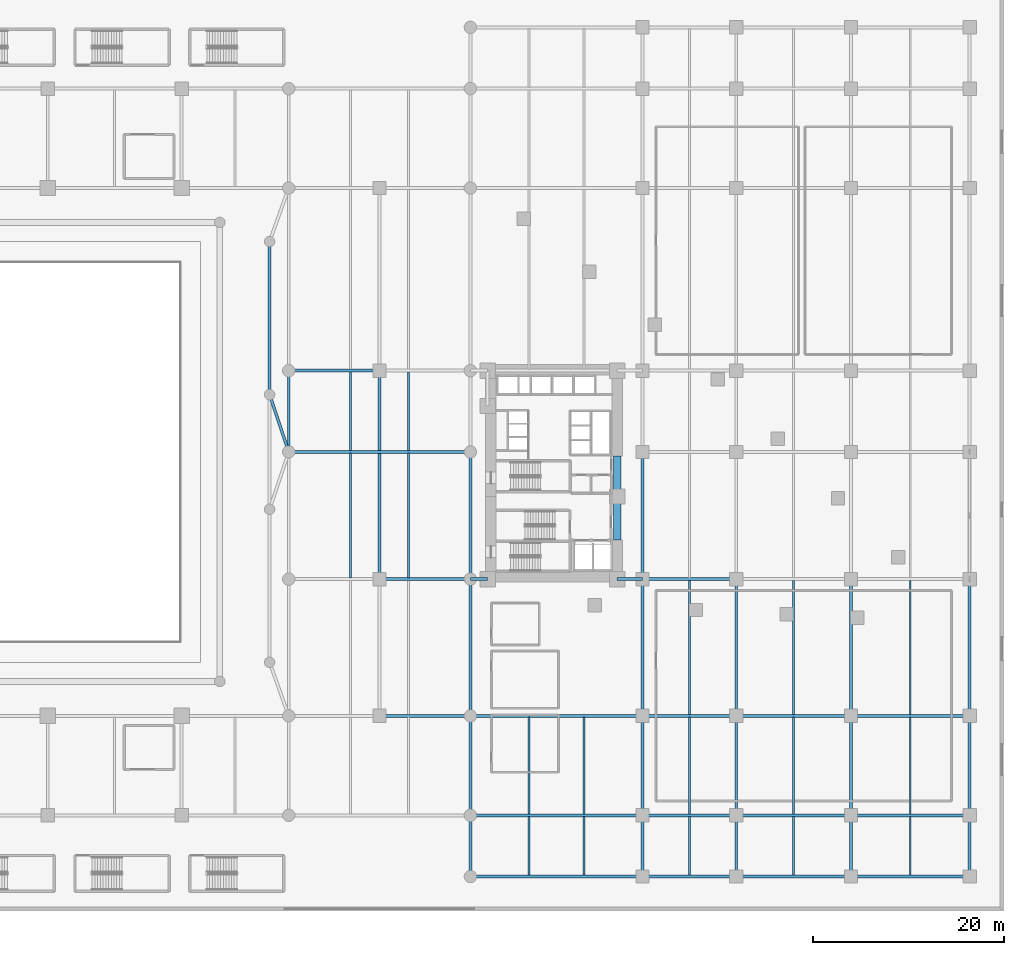
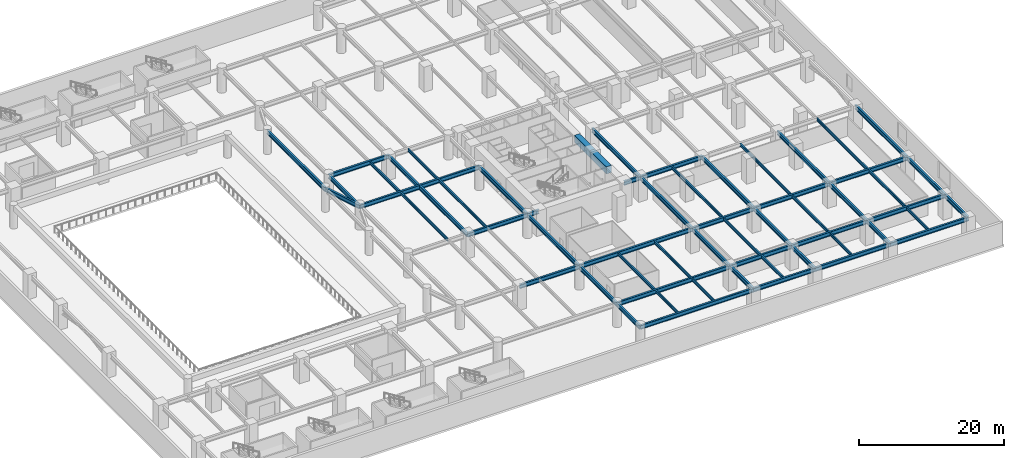
# One storey, part 2 of 25: 59 beams.
"""IFC4 building model written with IfcOpenShell, lengths in metres."""

from ifc_helpers import new_model, si_unit, direction, frame, origin, origin_2d, place, context, subcontext, project, spatial, rectangle, i_section, extrude, material, material_profile, profile_set, type_object, element, save


model = new_model("IFC4")

# Units and contexts
model_context = context("Model", 3, precision=1e-05, world=origin(), true_north=direction((0.0, 1.0)))
body_context = subcontext(model_context, "Body", "Model", "MODEL_VIEW")
ifc_project = project(units=[si_unit("LENGTHUNIT", "METRE"), si_unit("AREAUNIT", "SQUARE_METRE"), si_unit("VOLUMEUNIT", "CUBIC_METRE"), si_unit("PLANEANGLEUNIT", "RADIAN"), si_unit("MASSUNIT", "GRAM", prefix="KILO")], contexts=[model_context])

# Site, building, storey
site_placement = place(None, origin())
site = spatial("IfcSite", under=ifc_project, at=site_placement, CompositionType="ELEMENT")
building_placement = place(site_placement, origin())
building = spatial("IfcBuilding", under=site, at=building_placement, Name="Narakoshi Arena Tower", CompositionType="ELEMENT")
storey_placement = place(building_placement, frame((0.0, 0.0, 9.0)))
storey = spatial("IfcBuildingStorey", under=building, at=storey_placement, Name="L02", CompositionType="ELEMENT", Elevation=9.0)

# Beams
ifc_material_1 = material(Name="Concrete C60/75", Category="concrete")
ifc_material_profile_1 = material_profile(ifc_material_1, rectangle(XDim=0.800048828125, YDim=1.199951171875, at=origin_2d()), Name="RCB800x1200")
ifc_profile_set_1 = profile_set([ifc_material_profile_1], Name="Concrete C60/75")
beam_type_1 = type_object("IfcBeamType", Name="BM-CPL-1200", PredefinedType="LINTEL", material=ifc_profile_set_1)
beam_1_placement = place(storey_placement, frame((85.550048828125, 38.800048828125, 3.280029296875), z_axis=(0.0, 1.0, 0.0), x_axis=(-1.0, 0.0, 0.0)))
element("IfcBeam", 1, at=beam_1_placement, inside=storey, type_object=beam_type_1, Name="L02 Core Seismic Coupling Beam 1", PredefinedType="LINTEL", context=body_context, shape_type="SweptSolid", body=[
    extrude(rectangle(XDim=0.800048828125, YDim=1.199951171875, at=origin_2d()), origin(), (0.0, 0.0, 1.0), 4.550048828125),
])
beam_2_placement = place(storey_placement, frame((85.550048828125, 43.35009765625, 3.280029296875), z_axis=(0.0, 1.0, 0.0), x_axis=(-1.0, 0.0, 0.0)))
element("IfcBeam", 2, at=beam_2_placement, inside=storey, type_object=beam_type_1, Name="L02 Core Seismic Coupling Beam 2", PredefinedType="LINTEL", context=body_context, shape_type="SweptSolid", body=[
    extrude(rectangle(XDim=0.800048828125, YDim=1.199951171875, at=origin_2d()), origin(), (0.0, 0.0, 1.0), 4.25),
])
ifc_material_2 = material(Name="Structural steel S355J2", Category="steel")
ifc_material_profile_2 = material_profile(ifc_material_2, i_section(OverallWidth=0.300048828125, OverallDepth=0.699951171875, WebThickness=0.01708984375, FlangeThickness=0.031982421875, FilletRadius=0.027099609375, at=origin_2d()), Name="HE700B")
ifc_profile_set_2 = profile_set([ifc_material_profile_2], Name="Structural steel S355J2")
beam_type_2 = type_object("IfcBeamType", Name="BM-PRI-700", PredefinedType="BEAM", material=ifc_profile_set_2)
beam_3_placement = place(storey_placement, frame((49.199951171875, 54.0, 3.530029296875), z_axis=(0.316227766017, -0.948683298051, 0.0), x_axis=(0.948683298051, 0.316227766017, 0.0)))
element("IfcBeam", 3, at=beam_3_placement, inside=storey, type_object=beam_type_2, Name="L02 Arena Foyer Tie Beam 03", PredefinedType="BEAM", context=body_context, shape_type="SweptSolid", body=[
    extrude(i_section(OverallWidth=0.300048828125, OverallDepth=0.699951171875, WebThickness=0.01708984375, FlangeThickness=0.031982421875, FilletRadius=0.027099609375, at=origin_2d()), origin(), (0.0, 0.0, 1.0), 6.324462890625),
])
beam_4_placement = place(storey_placement, frame((49.199951171875, 54.0, 3.530029296875), z_axis=(0.0, 1.0, 0.0), x_axis=(-1.0, 0.0, 0.0)))
element("IfcBeam", 4, at=beam_4_placement, inside=storey, type_object=beam_type_2, Name="L02 Arena Foyer Ring Beam 54", PredefinedType="BEAM", context=body_context, shape_type="SweptSolid", body=[
    extrude(i_section(OverallWidth=0.300048828125, OverallDepth=0.699951171875, WebThickness=0.01708984375, FlangeThickness=0.031982421875, FilletRadius=0.027099609375, at=origin_2d()), origin(), (0.0, 0.0, 1.0), 16.0),
])
beam_5_placement = place(storey_placement, frame((70.199951171875, 3.60009765625, 3.530029296875), z_axis=(1.0, 0.0, 0.0), x_axis=(0.0, 1.0, 0.0)))
element("IfcBeam", 5, at=beam_5_placement, inside=storey, type_object=beam_type_2, Name="L02 Podium Primary X-Girder 001", PredefinedType="BEAM", context=body_context, shape_type="SweptSolid", body=[
    extrude(i_section(OverallWidth=0.300048828125, OverallDepth=0.699951171875, WebThickness=0.01708984375, FlangeThickness=0.031982421875, FilletRadius=0.027099609375, at=origin_2d()), origin(), (0.0, 0.0, 1.0), 18.0),
])
beam_6_placement = place(storey_placement, frame((88.199951171875, 3.60009765625, 3.530029296875), z_axis=(1.0, 0.0, 0.0), x_axis=(0.0, 1.0, 0.0)))
element("IfcBeam", 6, at=beam_6_placement, inside=storey, type_object=beam_type_2, Name="L02 Podium Primary X-Girder 002", PredefinedType="BEAM", context=body_context, shape_type="SweptSolid", body=[
    extrude(i_section(OverallWidth=0.300048828125, OverallDepth=0.699951171875, WebThickness=0.01708984375, FlangeThickness=0.031982421875, FilletRadius=0.027099609375, at=origin_2d()), origin(), (0.0, 0.0, 1.0), 9.800048828125),
])
beam_7_placement = place(storey_placement, frame((98.0, 3.60009765625, 3.530029296875), z_axis=(1.0, 0.0, 0.0), x_axis=(0.0, 1.0, 0.0)))
element("IfcBeam", 7, at=beam_7_placement, inside=storey, type_object=beam_type_2, Name="L02 Podium Primary X-Girder 003", PredefinedType="BEAM", context=body_context, shape_type="SweptSolid", body=[
    extrude(i_section(OverallWidth=0.300048828125, OverallDepth=0.699951171875, WebThickness=0.01708984375, FlangeThickness=0.031982421875, FilletRadius=0.027099609375, at=origin_2d()), origin(), (0.0, 0.0, 1.0), 12.0),
])
beam_8_placement = place(storey_placement, frame((110.0, 3.60009765625, 3.530029296875), z_axis=(1.0, 0.0, 0.0), x_axis=(0.0, 1.0, 0.0)))
element("IfcBeam", 8, at=beam_8_placement, inside=storey, type_object=beam_type_2, Name="L02 Podium Primary X-Girder 004", PredefinedType="BEAM", context=body_context, shape_type="SweptSolid", body=[
    extrude(i_section(OverallWidth=0.300048828125, OverallDepth=0.699951171875, WebThickness=0.01708984375, FlangeThickness=0.031982421875, FilletRadius=0.027099609375, at=origin_2d()), origin(), (0.0, 0.0, 1.0), 12.39990234375),
])
beam_9_placement = place(storey_placement, frame((70.199951171875, 10.0, 3.530029296875), z_axis=(1.0, 0.0, 0.0), x_axis=(0.0, 1.0, 0.0)))
element("IfcBeam", 9, at=beam_9_placement, inside=storey, type_object=beam_type_2, Name="L02 Podium Primary X-Girder 010", PredefinedType="BEAM", context=body_context, shape_type="SweptSolid", body=[
    extrude(i_section(OverallWidth=0.300048828125, OverallDepth=0.699951171875, WebThickness=0.01708984375, FlangeThickness=0.031982421875, FilletRadius=0.027099609375, at=origin_2d()), origin(), (0.0, 0.0, 1.0), 18.0),
])
beam_10_placement = place(storey_placement, frame((88.199951171875, 10.0, 3.530029296875), z_axis=(1.0, 0.0, 0.0), x_axis=(0.0, 1.0, 0.0)))
element("IfcBeam", 10, at=beam_10_placement, inside=storey, type_object=beam_type_2, Name="L02 Podium Primary X-Girder 011", PredefinedType="BEAM", context=body_context, shape_type="SweptSolid", body=[
    extrude(i_section(OverallWidth=0.300048828125, OverallDepth=0.699951171875, WebThickness=0.01708984375, FlangeThickness=0.031982421875, FilletRadius=0.027099609375, at=origin_2d()), origin(), (0.0, 0.0, 1.0), 9.800048828125),
])
beam_11_placement = place(storey_placement, frame((98.0, 10.0, 3.530029296875), z_axis=(1.0, 0.0, 0.0), x_axis=(0.0, 1.0, 0.0)))
element("IfcBeam", 11, at=beam_11_placement, inside=storey, type_object=beam_type_2, Name="L02 Podium Primary X-Girder 012", PredefinedType="BEAM", context=body_context, shape_type="SweptSolid", body=[
    extrude(i_section(OverallWidth=0.300048828125, OverallDepth=0.699951171875, WebThickness=0.01708984375, FlangeThickness=0.031982421875, FilletRadius=0.027099609375, at=origin_2d()), origin(), (0.0, 0.0, 1.0), 12.0),
])
beam_12_placement = place(storey_placement, frame((110.0, 10.0, 3.530029296875), z_axis=(1.0, 0.0, 0.0), x_axis=(0.0, 1.0, 0.0)))
element("IfcBeam", 12, at=beam_12_placement, inside=storey, type_object=beam_type_2, Name="L02 Podium Primary X-Girder 013", PredefinedType="BEAM", context=body_context, shape_type="SweptSolid", body=[
    extrude(i_section(OverallWidth=0.300048828125, OverallDepth=0.699951171875, WebThickness=0.01708984375, FlangeThickness=0.031982421875, FilletRadius=0.027099609375, at=origin_2d()), origin(), (0.0, 0.0, 1.0), 12.39990234375),
])
beam_13_placement = place(storey_placement, frame((60.699951171875, 20.39990234375, 3.530029296875), z_axis=(1.0, 0.0, 0.0), x_axis=(0.0, 1.0, 0.0)))
element("IfcBeam", 13, at=beam_13_placement, inside=storey, type_object=beam_type_2, Name="L02 Podium Primary X-Girder 019", PredefinedType="BEAM", context=body_context, shape_type="SweptSolid", body=[
    extrude(i_section(OverallWidth=0.300048828125, OverallDepth=0.699951171875, WebThickness=0.01708984375, FlangeThickness=0.031982421875, FilletRadius=0.027099609375, at=origin_2d()), origin(), (0.0, 0.0, 1.0), 9.5),
])
beam_14_placement = place(storey_placement, frame((70.199951171875, 20.39990234375, 3.530029296875), z_axis=(1.0, 0.0, 0.0), x_axis=(0.0, 1.0, 0.0)))
element("IfcBeam", 14, at=beam_14_placement, inside=storey, type_object=beam_type_2, Name="L02 Podium Primary X-Girder 020", PredefinedType="BEAM", context=body_context, shape_type="SweptSolid", body=[
    extrude(i_section(OverallWidth=0.300048828125, OverallDepth=0.699951171875, WebThickness=0.01708984375, FlangeThickness=0.031982421875, FilletRadius=0.027099609375, at=origin_2d()), origin(), (0.0, 0.0, 1.0), 18.0),
])
beam_15_placement = place(storey_placement, frame((88.199951171875, 20.39990234375, 3.530029296875), z_axis=(1.0, 0.0, 0.0), x_axis=(0.0, 1.0, 0.0)))
element("IfcBeam", 15, at=beam_15_placement, inside=storey, type_object=beam_type_2, Name="L02 Podium Primary X-Girder 021", PredefinedType="BEAM", context=body_context, shape_type="SweptSolid", body=[
    extrude(i_section(OverallWidth=0.300048828125, OverallDepth=0.699951171875, WebThickness=0.01708984375, FlangeThickness=0.031982421875, FilletRadius=0.027099609375, at=origin_2d()), origin(), (0.0, 0.0, 1.0), 9.800048828125),
])
beam_16_placement = place(storey_placement, frame((98.0, 20.39990234375, 3.530029296875), z_axis=(1.0, 0.0, 0.0), x_axis=(0.0, 1.0, 0.0)))
element("IfcBeam", 16, at=beam_16_placement, inside=storey, type_object=beam_type_2, Name="L02 Podium Primary X-Girder 022", PredefinedType="BEAM", context=body_context, shape_type="SweptSolid", body=[
    extrude(i_section(OverallWidth=0.300048828125, OverallDepth=0.699951171875, WebThickness=0.01708984375, FlangeThickness=0.031982421875, FilletRadius=0.027099609375, at=origin_2d()), origin(), (0.0, 0.0, 1.0), 12.0),
])
beam_17_placement = place(storey_placement, frame((110.0, 20.39990234375, 3.530029296875), z_axis=(1.0, 0.0, 0.0), x_axis=(0.0, 1.0, 0.0)))
element("IfcBeam", 17, at=beam_17_placement, inside=storey, type_object=beam_type_2, Name="L02 Podium Primary X-Girder 023", PredefinedType="BEAM", context=body_context, shape_type="SweptSolid", body=[
    extrude(i_section(OverallWidth=0.300048828125, OverallDepth=0.699951171875, WebThickness=0.01708984375, FlangeThickness=0.031982421875, FilletRadius=0.027099609375, at=origin_2d()), origin(), (0.0, 0.0, 1.0), 12.39990234375),
])
beam_18_placement = place(storey_placement, frame((60.699951171875, 34.699951171875, 3.530029296875), z_axis=(1.0, 0.0, 0.0), x_axis=(0.0, 1.0, 0.0)))
element("IfcBeam", 18, at=beam_18_placement, inside=storey, type_object=beam_type_2, Name="L02 Podium Primary X-Girder 025", PredefinedType="BEAM", context=body_context, shape_type="SweptSolid", body=[
    extrude(i_section(OverallWidth=0.300048828125, OverallDepth=0.699951171875, WebThickness=0.01708984375, FlangeThickness=0.031982421875, FilletRadius=0.027099609375, at=origin_2d()), origin(), (0.0, 0.0, 1.0), 9.5),
])
beam_19_placement = place(storey_placement, frame((70.199951171875, 34.699951171875, 3.530029296875), z_axis=(1.0, 0.0, 0.0), x_axis=(0.0, 1.0, 0.0)))
element("IfcBeam", 19, at=beam_19_placement, inside=storey, type_object=beam_type_2, Name="L02 Podium Primary X-Girder 026", PredefinedType="BEAM", context=body_context, shape_type="SweptSolid", body=[
    extrude(i_section(OverallWidth=0.300048828125, OverallDepth=0.699951171875, WebThickness=0.01708984375, FlangeThickness=0.031982421875, FilletRadius=0.027099609375, at=origin_2d()), origin(), (0.0, 0.0, 1.0), 1.800048828125),
])
beam_20_placement = place(storey_placement, frame((85.550048828125, 34.699951171875, 3.530029296875), z_axis=(1.0, 0.0, 0.0), x_axis=(0.0, 1.0, 0.0)))
element("IfcBeam", 20, at=beam_20_placement, inside=storey, type_object=beam_type_2, Name="L02 Podium Primary X-Girder 027", PredefinedType="BEAM", context=body_context, shape_type="SweptSolid", body=[
    extrude(i_section(OverallWidth=0.300048828125, OverallDepth=0.699951171875, WebThickness=0.01708984375, FlangeThickness=0.031982421875, FilletRadius=0.027099609375, at=origin_2d()), origin(), (0.0, 0.0, 1.0), 2.64990234375),
])
beam_21_placement = place(storey_placement, frame((88.199951171875, 34.699951171875, 3.530029296875), z_axis=(1.0, 0.0, 0.0), x_axis=(0.0, 1.0, 0.0)))
element("IfcBeam", 21, at=beam_21_placement, inside=storey, type_object=beam_type_2, Name="L02 Podium Primary X-Girder 028", PredefinedType="BEAM", context=body_context, shape_type="SweptSolid", body=[
    extrude(i_section(OverallWidth=0.300048828125, OverallDepth=0.699951171875, WebThickness=0.01708984375, FlangeThickness=0.031982421875, FilletRadius=0.027099609375, at=origin_2d()), origin(), (0.0, 0.0, 1.0), 9.800048828125),
])
beam_22_placement = place(storey_placement, frame((51.199951171875, 48.0, 3.530029296875), z_axis=(1.0, 0.0, 0.0), x_axis=(0.0, 1.0, 0.0)))
element("IfcBeam", 22, at=beam_22_placement, inside=storey, type_object=beam_type_2, Name="L02 Podium Primary X-Girder 031", PredefinedType="BEAM", context=body_context, shape_type="SweptSolid", body=[
    extrude(i_section(OverallWidth=0.300048828125, OverallDepth=0.699951171875, WebThickness=0.01708984375, FlangeThickness=0.031982421875, FilletRadius=0.027099609375, at=origin_2d()), origin(), (0.0, 0.0, 1.0), 19.0),
])
beam_23_placement = place(storey_placement, frame((51.199951171875, 56.5, 3.530029296875), z_axis=(1.0, 0.0, 0.0), x_axis=(0.0, 1.0, 0.0)))
element("IfcBeam", 23, at=beam_23_placement, inside=storey, type_object=beam_type_2, Name="L02 Podium Primary X-Girder 035", PredefinedType="BEAM", context=body_context, shape_type="SweptSolid", body=[
    extrude(i_section(OverallWidth=0.300048828125, OverallDepth=0.699951171875, WebThickness=0.01708984375, FlangeThickness=0.031982421875, FilletRadius=0.027099609375, at=origin_2d()), origin(), (0.0, 0.0, 1.0), 9.5),
])
beam_24_placement = place(storey_placement, frame((51.199951171875, 48.0, 3.530029296875), z_axis=(0.0, 1.0, 0.0), x_axis=(-1.0, 0.0, 0.0)))
element("IfcBeam", 24, at=beam_24_placement, inside=storey, type_object=beam_type_2, Name="L02 Podium Primary Y-Girder 083", PredefinedType="BEAM", context=body_context, shape_type="SweptSolid", body=[
    extrude(i_section(OverallWidth=0.300048828125, OverallDepth=0.699951171875, WebThickness=0.01708984375, FlangeThickness=0.031982421875, FilletRadius=0.027099609375, at=origin_2d()), origin(), (0.0, 0.0, 1.0), 8.5),
])
beam_25_placement = place(storey_placement, frame((60.699951171875, 34.699951171875, 3.530029296875), z_axis=(0.0, 1.0, 0.0), x_axis=(-1.0, 0.0, 0.0)))
element("IfcBeam", 25, at=beam_25_placement, inside=storey, type_object=beam_type_2, Name="L02 Podium Primary Y-Girder 087", PredefinedType="BEAM", context=body_context, shape_type="SweptSolid", body=[
    extrude(i_section(OverallWidth=0.300048828125, OverallDepth=0.699951171875, WebThickness=0.01708984375, FlangeThickness=0.031982421875, FilletRadius=0.027099609375, at=origin_2d()), origin(), (0.0, 0.0, 1.0), 21.800048828125),
])
beam_26_placement = place(storey_placement, frame((70.199951171875, 3.60009765625, 3.530029296875), z_axis=(0.0, 1.0, 0.0), x_axis=(-1.0, 0.0, 0.0)))
element("IfcBeam", 26, at=beam_26_placement, inside=storey, type_object=beam_type_2, Name="L02 Podium Primary Y-Girder 089", PredefinedType="BEAM", context=body_context, shape_type="SweptSolid", body=[
    extrude(i_section(OverallWidth=0.300048828125, OverallDepth=0.699951171875, WebThickness=0.01708984375, FlangeThickness=0.031982421875, FilletRadius=0.027099609375, at=origin_2d()), origin(), (0.0, 0.0, 1.0), 6.39990234375),
])
beam_27_placement = place(storey_placement, frame((70.199951171875, 10.0, 3.530029296875), z_axis=(0.0, 1.0, 0.0), x_axis=(-1.0, 0.0, 0.0)))
element("IfcBeam", 27, at=beam_27_placement, inside=storey, type_object=beam_type_2, Name="L02 Podium Primary Y-Girder 090", PredefinedType="BEAM", context=body_context, shape_type="SweptSolid", body=[
    extrude(i_section(OverallWidth=0.300048828125, OverallDepth=0.699951171875, WebThickness=0.01708984375, FlangeThickness=0.031982421875, FilletRadius=0.027099609375, at=origin_2d()), origin(), (0.0, 0.0, 1.0), 10.39990234375),
])
beam_28_placement = place(storey_placement, frame((70.199951171875, 20.39990234375, 3.530029296875), z_axis=(0.0, 1.0, 0.0), x_axis=(-1.0, 0.0, 0.0)))
element("IfcBeam", 28, at=beam_28_placement, inside=storey, type_object=beam_type_2, Name="L02 Podium Primary Y-Girder 091", PredefinedType="BEAM", context=body_context, shape_type="SweptSolid", body=[
    extrude(i_section(OverallWidth=0.300048828125, OverallDepth=0.699951171875, WebThickness=0.01708984375, FlangeThickness=0.031982421875, FilletRadius=0.027099609375, at=origin_2d()), origin(), (0.0, 0.0, 1.0), 14.300048828125),
])
beam_29_placement = place(storey_placement, frame((70.199951171875, 34.699951171875, 3.530029296875), z_axis=(0.0, 1.0, 0.0), x_axis=(-1.0, 0.0, 0.0)))
element("IfcBeam", 29, at=beam_29_placement, inside=storey, type_object=beam_type_2, Name="L02 Podium Primary Y-Girder 092", PredefinedType="BEAM", context=body_context, shape_type="SweptSolid", body=[
    extrude(i_section(OverallWidth=0.300048828125, OverallDepth=0.699951171875, WebThickness=0.01708984375, FlangeThickness=0.031982421875, FilletRadius=0.027099609375, at=origin_2d()), origin(), (0.0, 0.0, 1.0), 13.300048828125),
])
beam_30_placement = place(storey_placement, frame((88.199951171875, 3.60009765625, 3.530029296875), z_axis=(0.0, 1.0, 0.0), x_axis=(-1.0, 0.0, 0.0)))
element("IfcBeam", 30, at=beam_30_placement, inside=storey, type_object=beam_type_2, Name="L02 Podium Primary Y-Girder 098", PredefinedType="BEAM", context=body_context, shape_type="SweptSolid", body=[
    extrude(i_section(OverallWidth=0.300048828125, OverallDepth=0.699951171875, WebThickness=0.01708984375, FlangeThickness=0.031982421875, FilletRadius=0.027099609375, at=origin_2d()), origin(), (0.0, 0.0, 1.0), 6.39990234375),
])
beam_31_placement = place(storey_placement, frame((88.199951171875, 10.0, 3.530029296875), z_axis=(0.0, 1.0, 0.0), x_axis=(-1.0, 0.0, 0.0)))
element("IfcBeam", 31, at=beam_31_placement, inside=storey, type_object=beam_type_2, Name="L02 Podium Primary Y-Girder 099", PredefinedType="BEAM", context=body_context, shape_type="SweptSolid", body=[
    extrude(i_section(OverallWidth=0.300048828125, OverallDepth=0.699951171875, WebThickness=0.01708984375, FlangeThickness=0.031982421875, FilletRadius=0.027099609375, at=origin_2d()), origin(), (0.0, 0.0, 1.0), 10.39990234375),
])
beam_32_placement = place(storey_placement, frame((88.199951171875, 20.39990234375, 3.530029296875), z_axis=(0.0, 1.0, 0.0), x_axis=(-1.0, 0.0, 0.0)))
element("IfcBeam", 32, at=beam_32_placement, inside=storey, type_object=beam_type_2, Name="L02 Podium Primary Y-Girder 100", PredefinedType="BEAM", context=body_context, shape_type="SweptSolid", body=[
    extrude(i_section(OverallWidth=0.300048828125, OverallDepth=0.699951171875, WebThickness=0.01708984375, FlangeThickness=0.031982421875, FilletRadius=0.027099609375, at=origin_2d()), origin(), (0.0, 0.0, 1.0), 14.300048828125),
])
beam_33_placement = place(storey_placement, frame((88.199951171875, 34.699951171875, 3.530029296875), z_axis=(0.0, 1.0, 0.0), x_axis=(-1.0, 0.0, 0.0)))
element("IfcBeam", 33, at=beam_33_placement, inside=storey, type_object=beam_type_2, Name="L02 Podium Primary Y-Girder 101", PredefinedType="BEAM", context=body_context, shape_type="SweptSolid", body=[
    extrude(i_section(OverallWidth=0.300048828125, OverallDepth=0.699951171875, WebThickness=0.01708984375, FlangeThickness=0.031982421875, FilletRadius=0.027099609375, at=origin_2d()), origin(), (0.0, 0.0, 1.0), 13.300048828125),
])
beam_34_placement = place(storey_placement, frame((98.0, 3.60009765625, 3.530029296875), z_axis=(0.0, 1.0, 0.0), x_axis=(-1.0, 0.0, 0.0)))
element("IfcBeam", 34, at=beam_34_placement, inside=storey, type_object=beam_type_2, Name="L02 Podium Primary Y-Girder 106", PredefinedType="BEAM", context=body_context, shape_type="SweptSolid", body=[
    extrude(i_section(OverallWidth=0.300048828125, OverallDepth=0.699951171875, WebThickness=0.01708984375, FlangeThickness=0.031982421875, FilletRadius=0.027099609375, at=origin_2d()), origin(), (0.0, 0.0, 1.0), 6.39990234375),
])
beam_35_placement = place(storey_placement, frame((98.0, 10.0, 3.530029296875), z_axis=(0.0, 1.0, 0.0), x_axis=(-1.0, 0.0, 0.0)))
element("IfcBeam", 35, at=beam_35_placement, inside=storey, type_object=beam_type_2, Name="L02 Podium Primary Y-Girder 107", PredefinedType="BEAM", context=body_context, shape_type="SweptSolid", body=[
    extrude(i_section(OverallWidth=0.300048828125, OverallDepth=0.699951171875, WebThickness=0.01708984375, FlangeThickness=0.031982421875, FilletRadius=0.027099609375, at=origin_2d()), origin(), (0.0, 0.0, 1.0), 10.39990234375),
])
beam_36_placement = place(storey_placement, frame((98.0, 20.39990234375, 3.530029296875), z_axis=(0.0, 1.0, 0.0), x_axis=(-1.0, 0.0, 0.0)))
element("IfcBeam", 36, at=beam_36_placement, inside=storey, type_object=beam_type_2, Name="L02 Podium Primary Y-Girder 108", PredefinedType="BEAM", context=body_context, shape_type="SweptSolid", body=[
    extrude(i_section(OverallWidth=0.300048828125, OverallDepth=0.699951171875, WebThickness=0.01708984375, FlangeThickness=0.031982421875, FilletRadius=0.027099609375, at=origin_2d()), origin(), (0.0, 0.0, 1.0), 14.300048828125),
])
beam_37_placement = place(storey_placement, frame((110.0, 3.60009765625, 3.530029296875), z_axis=(0.0, 1.0, 0.0), x_axis=(-1.0, 0.0, 0.0)))
element("IfcBeam", 37, at=beam_37_placement, inside=storey, type_object=beam_type_2, Name="L02 Podium Primary Y-Girder 114", PredefinedType="BEAM", context=body_context, shape_type="SweptSolid", body=[
    extrude(i_section(OverallWidth=0.300048828125, OverallDepth=0.699951171875, WebThickness=0.01708984375, FlangeThickness=0.031982421875, FilletRadius=0.027099609375, at=origin_2d()), origin(), (0.0, 0.0, 1.0), 6.39990234375),
])
beam_38_placement = place(storey_placement, frame((110.0, 10.0, 3.530029296875), z_axis=(0.0, 1.0, 0.0), x_axis=(-1.0, 0.0, 0.0)))
element("IfcBeam", 38, at=beam_38_placement, inside=storey, type_object=beam_type_2, Name="L02 Podium Primary Y-Girder 115", PredefinedType="BEAM", context=body_context, shape_type="SweptSolid", body=[
    extrude(i_section(OverallWidth=0.300048828125, OverallDepth=0.699951171875, WebThickness=0.01708984375, FlangeThickness=0.031982421875, FilletRadius=0.027099609375, at=origin_2d()), origin(), (0.0, 0.0, 1.0), 10.39990234375),
])
beam_39_placement = place(storey_placement, frame((110.0, 20.39990234375, 3.530029296875), z_axis=(0.0, 1.0, 0.0), x_axis=(-1.0, 0.0, 0.0)))
element("IfcBeam", 39, at=beam_39_placement, inside=storey, type_object=beam_type_2, Name="L02 Podium Primary Y-Girder 116", PredefinedType="BEAM", context=body_context, shape_type="SweptSolid", body=[
    extrude(i_section(OverallWidth=0.300048828125, OverallDepth=0.699951171875, WebThickness=0.01708984375, FlangeThickness=0.031982421875, FilletRadius=0.027099609375, at=origin_2d()), origin(), (0.0, 0.0, 1.0), 14.300048828125),
])
beam_40_placement = place(storey_placement, frame((122.39990234375, 3.60009765625, 3.530029296875), z_axis=(0.0, 1.0, 0.0), x_axis=(-1.0, 0.0, 0.0)))
element("IfcBeam", 40, at=beam_40_placement, inside=storey, type_object=beam_type_2, Name="L02 Podium Primary Y-Girder 122", PredefinedType="BEAM", context=body_context, shape_type="SweptSolid", body=[
    extrude(i_section(OverallWidth=0.300048828125, OverallDepth=0.699951171875, WebThickness=0.01708984375, FlangeThickness=0.031982421875, FilletRadius=0.027099609375, at=origin_2d()), origin(), (0.0, 0.0, 1.0), 6.39990234375),
])
beam_41_placement = place(storey_placement, frame((122.39990234375, 10.0, 3.530029296875), z_axis=(0.0, 1.0, 0.0), x_axis=(-1.0, 0.0, 0.0)))
element("IfcBeam", 41, at=beam_41_placement, inside=storey, type_object=beam_type_2, Name="L02 Podium Primary Y-Girder 123", PredefinedType="BEAM", context=body_context, shape_type="SweptSolid", body=[
    extrude(i_section(OverallWidth=0.300048828125, OverallDepth=0.699951171875, WebThickness=0.01708984375, FlangeThickness=0.031982421875, FilletRadius=0.027099609375, at=origin_2d()), origin(), (0.0, 0.0, 1.0), 10.39990234375),
])
beam_42_placement = place(storey_placement, frame((122.39990234375, 20.39990234375, 3.530029296875), z_axis=(0.0, 1.0, 0.0), x_axis=(-1.0, 0.0, 0.0)))
element("IfcBeam", 42, at=beam_42_placement, inside=storey, type_object=beam_type_2, Name="L02 Podium Primary Y-Girder 124", PredefinedType="BEAM", context=body_context, shape_type="SweptSolid", body=[
    extrude(i_section(OverallWidth=0.300048828125, OverallDepth=0.699951171875, WebThickness=0.01708984375, FlangeThickness=0.031982421875, FilletRadius=0.027099609375, at=origin_2d()), origin(), (0.0, 0.0, 1.0), 14.300048828125),
])
ifc_material_profile_3 = material_profile(ifc_material_2, i_section(OverallWidth=0.199951171875, OverallDepth=0.5, WebThickness=0.01025390625, FlangeThickness=0.01611328125, FilletRadius=0.02099609375, at=origin_2d()), Name="IPE500")
ifc_profile_set_3 = profile_set([ifc_material_profile_3], Name="Structural steel S355J2")
beam_type_3 = type_object("IfcBeamType", Name="BM-SEC-500", PredefinedType="JOIST", material=ifc_profile_set_3)
beam_43_placement = place(storey_placement, frame((57.659912109375, 34.8349609375, 3.6298828125), z_axis=(0.0, 1.0, 0.0), x_axis=(-1.0, 0.0, 0.0)))
element("IfcBeam", 43, at=beam_43_placement, inside=storey, type_object=beam_type_3, Name="L02 Podium Composite Floor Joist 011", PredefinedType="JOIST", context=body_context, shape_type="SweptSolid", body=[
    extrude(i_section(OverallWidth=0.199951171875, OverallDepth=0.5, WebThickness=0.01025390625, FlangeThickness=0.01611328125, FilletRadius=0.02099609375, at=origin_2d()), origin(), (0.0, 0.0, 1.0), 13.030029296875),
])
beam_44_placement = place(storey_placement, frame((57.659912109375, 48.135009765625, 3.6298828125), z_axis=(0.0, 1.0, 0.0), x_axis=(-1.0, 0.0, 0.0)))
element("IfcBeam", 44, at=beam_44_placement, inside=storey, type_object=beam_type_3, Name="L02 Podium Composite Floor Joist 012", PredefinedType="JOIST", context=body_context, shape_type="SweptSolid", body=[
    extrude(i_section(OverallWidth=0.199951171875, OverallDepth=0.5, WebThickness=0.01025390625, FlangeThickness=0.01611328125, FilletRadius=0.02099609375, at=origin_2d()), origin(), (0.0, 0.0, 1.0), 8.22998046875),
])
beam_45_placement = place(storey_placement, frame((63.739990234375, 34.8349609375, 3.6298828125), z_axis=(0.0, 1.0, 0.0), x_axis=(-1.0, 0.0, 0.0)))
element("IfcBeam", 45, at=beam_45_placement, inside=storey, type_object=beam_type_3, Name="L02 Podium Composite Floor Joist 017", PredefinedType="JOIST", context=body_context, shape_type="SweptSolid", body=[
    extrude(i_section(OverallWidth=0.199951171875, OverallDepth=0.5, WebThickness=0.01025390625, FlangeThickness=0.01611328125, FilletRadius=0.02099609375, at=origin_2d()), origin(), (0.0, 0.0, 1.0), 13.030029296875),
])
beam_46_placement = place(storey_placement, frame((63.739990234375, 48.135009765625, 3.6298828125), z_axis=(0.0, 1.0, 0.0), x_axis=(-1.0, 0.0, 0.0)))
element("IfcBeam", 46, at=beam_46_placement, inside=storey, type_object=beam_type_3, Name="L02 Podium Composite Floor Joist 018", PredefinedType="JOIST", context=body_context, shape_type="SweptSolid", body=[
    extrude(i_section(OverallWidth=0.199951171875, OverallDepth=0.5, WebThickness=0.01025390625, FlangeThickness=0.01611328125, FilletRadius=0.02099609375, at=origin_2d()), origin(), (0.0, 0.0, 1.0), 8.22998046875),
])
beam_47_placement = place(storey_placement, frame((76.320068359375, 3.735107421875, 3.6298828125), z_axis=(0.0, 1.0, 0.0), x_axis=(-1.0, 0.0, 0.0)))
element("IfcBeam", 47, at=beam_47_placement, inside=storey, type_object=beam_type_3, Name="L02 Podium Composite Floor Joist 021", PredefinedType="JOIST", context=body_context, shape_type="SweptSolid", body=[
    extrude(i_section(OverallWidth=0.199951171875, OverallDepth=0.5, WebThickness=0.01025390625, FlangeThickness=0.01611328125, FilletRadius=0.02099609375, at=origin_2d()), origin(), (0.0, 0.0, 1.0), 6.1298828125),
])
beam_48_placement = place(storey_placement, frame((76.320068359375, 10.135009765625, 3.6298828125), z_axis=(0.0, 1.0, 0.0), x_axis=(-1.0, 0.0, 0.0)))
element("IfcBeam", 48, at=beam_48_placement, inside=storey, type_object=beam_type_3, Name="L02 Podium Composite Floor Joist 022", PredefinedType="JOIST", context=body_context, shape_type="SweptSolid", body=[
    extrude(i_section(OverallWidth=0.199951171875, OverallDepth=0.5, WebThickness=0.01025390625, FlangeThickness=0.01611328125, FilletRadius=0.02099609375, at=origin_2d()), origin(), (0.0, 0.0, 1.0), 10.1298828125),
])
beam_49_placement = place(storey_placement, frame((82.080078125, 3.735107421875, 3.6298828125), z_axis=(0.0, 1.0, 0.0), x_axis=(-1.0, 0.0, 0.0)))
element("IfcBeam", 49, at=beam_49_placement, inside=storey, type_object=beam_type_3, Name="L02 Podium Composite Floor Joist 026", PredefinedType="JOIST", context=body_context, shape_type="SweptSolid", body=[
    extrude(i_section(OverallWidth=0.199951171875, OverallDepth=0.5, WebThickness=0.01025390625, FlangeThickness=0.01611328125, FilletRadius=0.02099609375, at=origin_2d()), origin(), (0.0, 0.0, 1.0), 6.1298828125),
])
beam_50_placement = place(storey_placement, frame((82.080078125, 10.135009765625, 3.6298828125), z_axis=(0.0, 1.0, 0.0), x_axis=(-1.0, 0.0, 0.0)))
element("IfcBeam", 50, at=beam_50_placement, inside=storey, type_object=beam_type_3, Name="L02 Podium Composite Floor Joist 027", PredefinedType="JOIST", context=body_context, shape_type="SweptSolid", body=[
    extrude(i_section(OverallWidth=0.199951171875, OverallDepth=0.5, WebThickness=0.01025390625, FlangeThickness=0.01611328125, FilletRadius=0.02099609375, at=origin_2d()), origin(), (0.0, 0.0, 1.0), 10.1298828125),
])
beam_51_placement = place(storey_placement, frame((93.10009765625, 3.735107421875, 3.6298828125), z_axis=(0.0, 1.0, 0.0), x_axis=(-1.0, 0.0, 0.0)))
element("IfcBeam", 51, at=beam_51_placement, inside=storey, type_object=beam_type_3, Name="L02 Podium Composite Floor Joist 031", PredefinedType="JOIST", context=body_context, shape_type="SweptSolid", body=[
    extrude(i_section(OverallWidth=0.199951171875, OverallDepth=0.5, WebThickness=0.01025390625, FlangeThickness=0.01611328125, FilletRadius=0.02099609375, at=origin_2d()), origin(), (0.0, 0.0, 1.0), 6.1298828125),
])
beam_52_placement = place(storey_placement, frame((93.10009765625, 10.135009765625, 3.6298828125), z_axis=(0.0, 1.0, 0.0), x_axis=(-1.0, 0.0, 0.0)))
element("IfcBeam", 52, at=beam_52_placement, inside=storey, type_object=beam_type_3, Name="L02 Podium Composite Floor Joist 032", PredefinedType="JOIST", context=body_context, shape_type="SweptSolid", body=[
    extrude(i_section(OverallWidth=0.199951171875, OverallDepth=0.5, WebThickness=0.01025390625, FlangeThickness=0.01611328125, FilletRadius=0.02099609375, at=origin_2d()), origin(), (0.0, 0.0, 1.0), 10.1298828125),
])
beam_53_placement = place(storey_placement, frame((93.10009765625, 20.534912109375, 3.6298828125), z_axis=(0.0, 1.0, 0.0), x_axis=(-1.0, 0.0, 0.0)))
element("IfcBeam", 53, at=beam_53_placement, inside=storey, type_object=beam_type_3, Name="L02 Podium Composite Floor Joist 033", PredefinedType="JOIST", context=body_context, shape_type="SweptSolid", body=[
    extrude(i_section(OverallWidth=0.199951171875, OverallDepth=0.5, WebThickness=0.01025390625, FlangeThickness=0.01611328125, FilletRadius=0.02099609375, at=origin_2d()), origin(), (0.0, 0.0, 1.0), 14.030029296875),
])
beam_54_placement = place(storey_placement, frame((104.0, 3.735107421875, 3.6298828125), z_axis=(0.0, 1.0, 0.0), x_axis=(-1.0, 0.0, 0.0)))
element("IfcBeam", 54, at=beam_54_placement, inside=storey, type_object=beam_type_3, Name="L02 Podium Composite Floor Joist 039", PredefinedType="JOIST", context=body_context, shape_type="SweptSolid", body=[
    extrude(i_section(OverallWidth=0.199951171875, OverallDepth=0.5, WebThickness=0.01025390625, FlangeThickness=0.01611328125, FilletRadius=0.02099609375, at=origin_2d()), origin(), (0.0, 0.0, 1.0), 6.1298828125),
])
beam_55_placement = place(storey_placement, frame((104.0, 10.135009765625, 3.6298828125), z_axis=(0.0, 1.0, 0.0), x_axis=(-1.0, 0.0, 0.0)))
element("IfcBeam", 55, at=beam_55_placement, inside=storey, type_object=beam_type_3, Name="L02 Podium Composite Floor Joist 040", PredefinedType="JOIST", context=body_context, shape_type="SweptSolid", body=[
    extrude(i_section(OverallWidth=0.199951171875, OverallDepth=0.5, WebThickness=0.01025390625, FlangeThickness=0.01611328125, FilletRadius=0.02099609375, at=origin_2d()), origin(), (0.0, 0.0, 1.0), 10.1298828125),
])
beam_56_placement = place(storey_placement, frame((104.0, 20.534912109375, 3.6298828125), z_axis=(0.0, 1.0, 0.0), x_axis=(-1.0, 0.0, 0.0)))
element("IfcBeam", 56, at=beam_56_placement, inside=storey, type_object=beam_type_3, Name="L02 Podium Composite Floor Joist 041", PredefinedType="JOIST", context=body_context, shape_type="SweptSolid", body=[
    extrude(i_section(OverallWidth=0.199951171875, OverallDepth=0.5, WebThickness=0.01025390625, FlangeThickness=0.01611328125, FilletRadius=0.02099609375, at=origin_2d()), origin(), (0.0, 0.0, 1.0), 14.030029296875),
])
beam_57_placement = place(storey_placement, frame((116.199951171875, 3.735107421875, 3.6298828125), z_axis=(0.0, 1.0, 0.0), x_axis=(-1.0, 0.0, 0.0)))
element("IfcBeam", 57, at=beam_57_placement, inside=storey, type_object=beam_type_3, Name="L02 Podium Composite Floor Joist 047", PredefinedType="JOIST", context=body_context, shape_type="SweptSolid", body=[
    extrude(i_section(OverallWidth=0.199951171875, OverallDepth=0.5, WebThickness=0.01025390625, FlangeThickness=0.01611328125, FilletRadius=0.02099609375, at=origin_2d()), origin(), (0.0, 0.0, 1.0), 6.1298828125),
])
beam_58_placement = place(storey_placement, frame((116.199951171875, 10.135009765625, 3.6298828125), z_axis=(0.0, 1.0, 0.0), x_axis=(-1.0, 0.0, 0.0)))
element("IfcBeam", 58, at=beam_58_placement, inside=storey, type_object=beam_type_3, Name="L02 Podium Composite Floor Joist 048", PredefinedType="JOIST", context=body_context, shape_type="SweptSolid", body=[
    extrude(i_section(OverallWidth=0.199951171875, OverallDepth=0.5, WebThickness=0.01025390625, FlangeThickness=0.01611328125, FilletRadius=0.02099609375, at=origin_2d()), origin(), (0.0, 0.0, 1.0), 10.1298828125),
])
beam_59_placement = place(storey_placement, frame((116.199951171875, 20.534912109375, 3.6298828125), z_axis=(0.0, 1.0, 0.0), x_axis=(-1.0, 0.0, 0.0)))
element("IfcBeam", 59, at=beam_59_placement, inside=storey, type_object=beam_type_3, Name="L02 Podium Composite Floor Joist 049", PredefinedType="JOIST", context=body_context, shape_type="SweptSolid", body=[
    extrude(i_section(OverallWidth=0.199951171875, OverallDepth=0.5, WebThickness=0.01025390625, FlangeThickness=0.01611328125, FilletRadius=0.02099609375, at=origin_2d()), origin(), (0.0, 0.0, 1.0), 14.030029296875),
])

save(model, "model.ifc")
